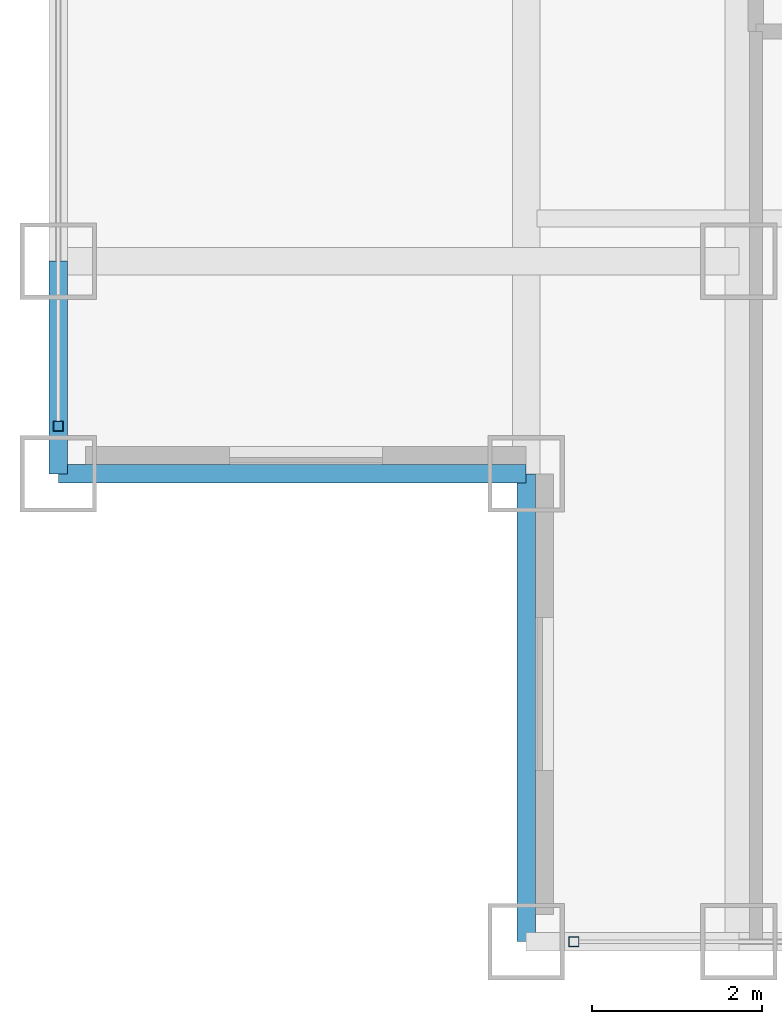
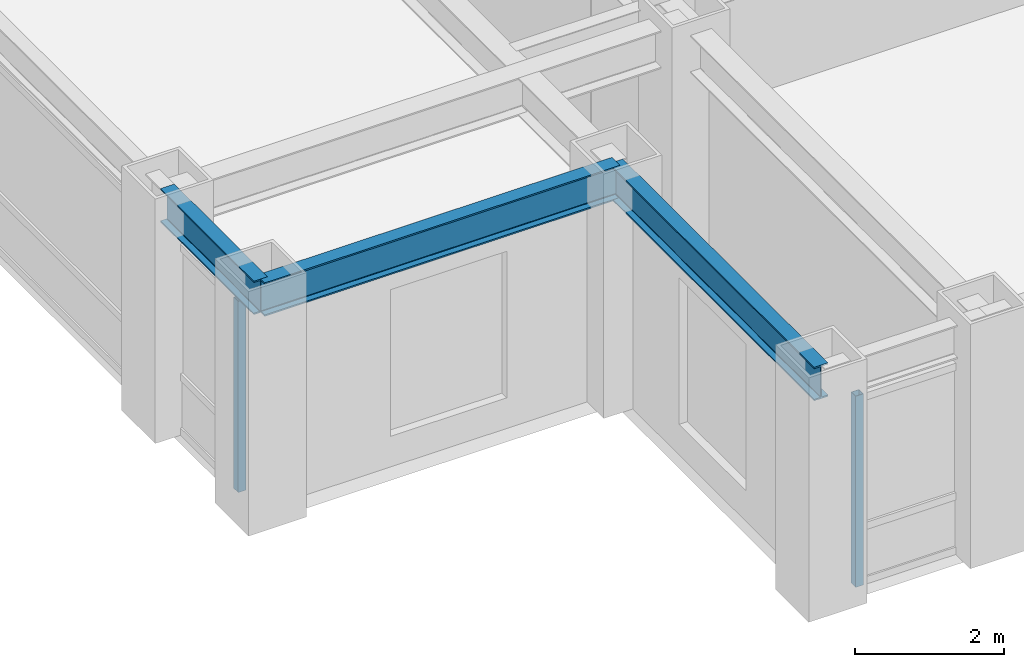
# One storey, part 2 of 22: 3 beams, 2 members, 2 elements without a shape of their own.
"""IFC4 building model written with IfcOpenShell, lengths in metres."""

from ifc_helpers import new_model, si_unit, direction, frame, origin, origin_2d, place, context, subcontext, project, spatial, hollow_rectangle, i_section, extrude, source, transform, mapped, material, material_profile, profile_set, type_object, element, aggregate, save


model = new_model("IFC4")

# Units and contexts
model_context = context("Model", 3, precision=1e-05, world=origin(), true_north=direction((0.0, 1.0)))
body_context = subcontext(model_context, "Body", "Model", "MODEL_VIEW")
ifc_project = project(units=[si_unit("LENGTHUNIT", "METRE"), si_unit("AREAUNIT", "SQUARE_METRE"), si_unit("VOLUMEUNIT", "CUBIC_METRE"), si_unit("PLANEANGLEUNIT", "RADIAN"), si_unit("MASSUNIT", "GRAM", prefix="KILO")], contexts=[model_context])

# Site, building, storey
site_placement = place(None, origin())
site = spatial("IfcSite", under=ifc_project, at=site_placement, CompositionType="ELEMENT")
building_placement = place(site_placement, origin())
building = spatial("IfcBuilding", under=site, at=building_placement, Name="Khorayat Bourse Tower", CompositionType="ELEMENT")
storey_placement = place(building_placement, frame((0.0, 0.0, 309.5)))
storey = spatial("IfcBuildingStorey", under=building, at=storey_placement, Name="L73", CompositionType="ELEMENT", Elevation=309.5)

# Beams
ifc_material_1 = material(Name="Steel ASTM A992 Grade 50", Category="steel")
ifc_material_profile_1 = material_profile(ifc_material_1, i_section(OverallWidth=0.214111328125, OverallDepth=0.549072265625, WebThickness=0.0146484375, FlangeThickness=0.023681640625, FilletRadius=0.013916015625, at=origin_2d()), Name="W530X138")
ifc_profile_set_1 = profile_set([ifc_material_profile_1], Name="Steel ASTM A992 Grade 50")
beam_type = type_object("IfcBeamType", Name="BM-SPAN-530", PredefinedType="SPANDREL", material=ifc_profile_set_1)
shared_shape_1 = source(origin(), body_context, "Body", "SweptSolid", [
    extrude(i_section(OverallWidth=0.214111328125, OverallDepth=0.549072265625, WebThickness=0.0146484375, FlangeThickness=0.023681640625, FilletRadius=0.013916015625, at=origin_2d()), origin(), (0.0, 0.0, 1.0), 2.5),
])
beam_placement = place(storey_placement, frame((-28.0, -22.5, 3.505615234375), z_axis=(0.0, 1.0, 0.0), x_axis=(-1.0, 0.0, 0.0)))
element("IfcBeam", 1, at=beam_placement, inside=storey, type_object=beam_type, Name="L73 BM-SPAN-530 BM-L73-SPN-061", PredefinedType="SPANDREL", context=body_context, shape_type="MappedRepresentation", body=[
    mapped(shared_shape_1, transform((0.0, 0.0, 0.0), scale=1.0)),
])
shared_shape_2 = source(origin(), body_context, "Body", "SweptSolid", [
    extrude(i_section(OverallWidth=0.214111328125, OverallDepth=0.549072265625, WebThickness=0.0146484375, FlangeThickness=0.023681640625, FilletRadius=0.013916015625, at=origin_2d()), origin(), (0.0, 0.0, 1.0), 5.5),
])
for number, where, z_axis, x_axis, name in (
    (2, (-28.0, -22.5, 3.505615234375), (1.0, 0.0, 0.0), (0.0, 1.0, 0.0), "L73 BM-SPAN-530 BM-L73-SPN-062"),
    (3, (-22.5, -28.0, 3.505615234375), (0.0, 1.0, 0.0), (-1.0, 0.0, 0.0), "L73 BM-SPAN-530 BM-L73-SPN-063"),
):
    element("IfcBeam", number, at=place(storey_placement, frame(where, z_axis=z_axis, x_axis=x_axis)), inside=storey, type_object=beam_type, Name=name, PredefinedType="SPANDREL", context=body_context, shape_type="MappedRepresentation", body=[
        mapped(shared_shape_2, transform((0.0, 0.0, 0.0), scale=1.0)),
    ])

# Curtain wall, member
ifc_material_2 = material(Name="Aluminium EN AW-6063 T6", Category="aluminium")
curtain_wall_type = type_object("IfcCurtainWallType", Name="CW-SYS-04", PredefinedType="NOTDEFINED", material=ifc_material_2)
curtain_wall_1_placement = place(storey_placement, origin())
curtain_wall_1 = element("IfcCurtainWall", 4, at=curtain_wall_1_placement, inside=storey, type_object=curtain_wall_type, Name="L73 Curtain Wall CW-L73-S1", PredefinedType="NOTDEFINED")
ifc_material_profile_2 = material_profile(ifc_material_2, hollow_rectangle(XDim=0.1201171875, YDim=0.1201171875, WallThickness=0.0048828125, at=origin_2d()), Name="ALU 120x120x5")
ifc_profile_set_2 = profile_set([ifc_material_profile_2], Name="Aluminium EN AW-6063 T6")
member_type = type_object("IfcMemberType", Name="CWM-VERT-120", PredefinedType="MULLION", material=ifc_profile_set_2)
shared_shape_3 = source(origin(), body_context, "Body", "SweptSolid", [
    extrude(hollow_rectangle(XDim=0.1201171875, YDim=0.1201171875, WallThickness=0.0048828125, at=origin_2d()), origin(), (0.0, 0.0, 1.0), 3.1298828125),
])
member_1_placement = place(storey_placement, frame((-21.93994140625, -28.0, 0.0), z_axis=(0.0, 0.0, 1.0), x_axis=(0.0, 1.0, 0.0)))
member_1 = element("IfcMember", 5, at=member_1_placement, type_object=member_type, Name="CW-L73-S1 Vertical Mullion 1", PredefinedType="MULLION", context=body_context, shape_type="MappedRepresentation", body=[
    mapped(shared_shape_3, transform((0.0, 0.0, 0.0), scale=1.0)),
])
aggregate(curtain_wall_1, [member_1])

curtain_wall_2_placement = place(storey_placement, origin())
curtain_wall_2 = element("IfcCurtainWall", 6, at=curtain_wall_2_placement, inside=storey, type_object=curtain_wall_type, Name="L73 Curtain Wall CW-L73-W1", PredefinedType="NOTDEFINED")
member_2_placement = place(storey_placement, frame((-28.0, -21.93994140625, 0.0), z_axis=(0.0, 0.0, 1.0), x_axis=(-1.0, 0.0, 0.0)))
member_2 = element("IfcMember", 7, at=member_2_placement, type_object=member_type, Name="CW-L73-W1 Vertical Mullion 1", PredefinedType="MULLION", context=body_context, shape_type="MappedRepresentation", body=[
    mapped(shared_shape_3, transform((0.0, 0.0, 0.0), scale=1.0)),
])
aggregate(curtain_wall_2, [member_2])

save(model, "model.ifc")
